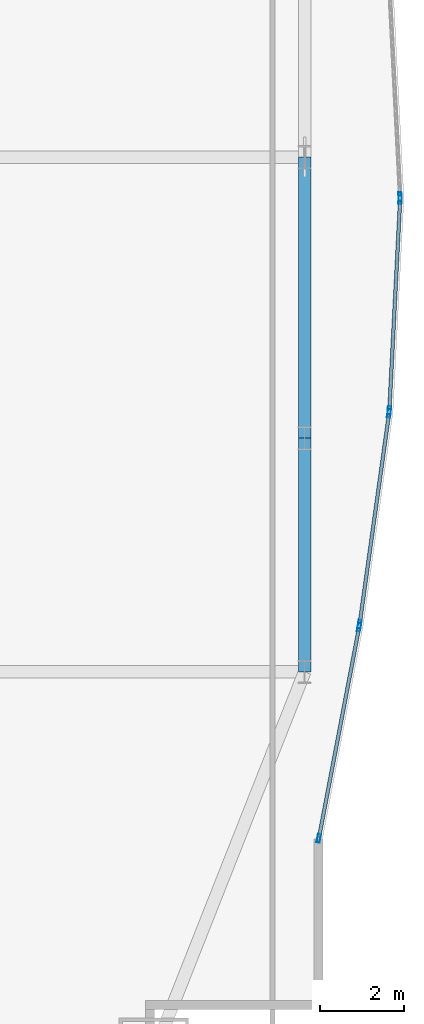
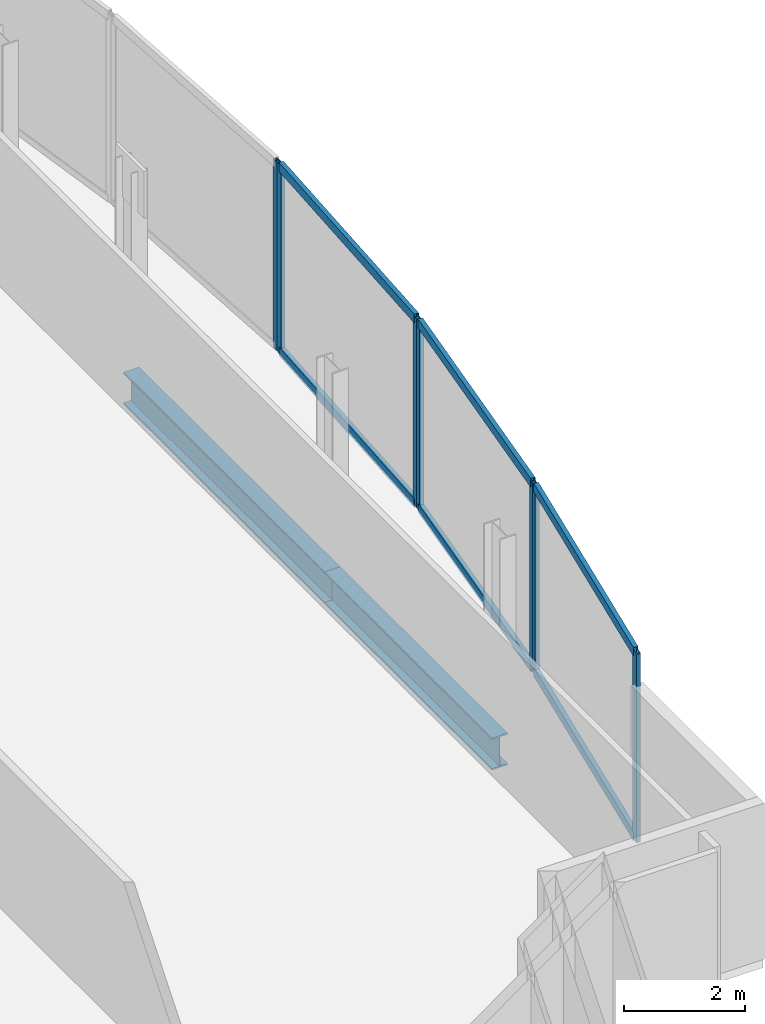
# One storey, part 22 of 37: 13 members, 2 beams, 4 elements without a shape of their own.
"""IFC4 building model written with IfcOpenShell, lengths in metres."""

from ifc_helpers import new_model, si_unit, direction, frame, origin, origin_2d, place, context, subcontext, project, spatial, hollow_rectangle, i_section, extrude, material, material_profile, profile_set, type_object, element, aggregate, save


model = new_model("IFC4")

# Units and contexts
model_context = context("Model", 3, precision=1e-05, world=origin(), true_north=direction((0.0, 1.0)))
body_context = subcontext(model_context, "Body", "Model", "MODEL_VIEW")
ifc_project = project(units=[si_unit("LENGTHUNIT", "METRE"), si_unit("AREAUNIT", "SQUARE_METRE"), si_unit("VOLUMEUNIT", "CUBIC_METRE"), si_unit("PLANEANGLEUNIT", "RADIAN"), si_unit("MASSUNIT", "GRAM", prefix="KILO")], contexts=[model_context])

# Site, building, storey
site_placement = place(None, origin())
site = spatial("IfcSite", under=ifc_project, at=site_placement, CompositionType="ELEMENT")
building_placement = place(site_placement, origin())
building = spatial("IfcBuilding", under=site, at=building_placement, Name="Khoronbel Lancet Exchange", CompositionType="ELEMENT")
storey_placement = place(building_placement, frame((0.0, 0.0, 45.800048828125)))
storey = spatial("IfcBuildingStorey", under=building, at=storey_placement, Name="L10", CompositionType="ELEMENT", Elevation=45.800048828125)

# Beams
ifc_material_1 = material(Name="Steel S355", Category="steel")
ifc_material_profile_1 = material_profile(ifc_material_1, i_section(OverallWidth=0.300048828125, OverallDepth=0.64990234375, WebThickness=0.01611328125, FlangeThickness=0.031005859375, at=origin_2d()), Name="HEB 650")
ifc_profile_set_1 = profile_set([ifc_material_profile_1], Name="Steel S355")
beam_type = type_object("IfcBeamType", Name="BM-BSP1", PredefinedType="SPANDREL", material=ifc_profile_set_1)
beam_1_placement = place(storey_placement, frame((71.6298828125, 19.199951171875, -0.505126953125), z_axis=(0.0, 1.0, 0.0), x_axis=(-1.0, 0.0, 0.0)))
element("IfcBeam", 1, at=beam_1_placement, inside=storey, type_object=beam_type, Name="Level L10 perimeter spandrel beam SP11", PredefinedType="SPANDREL", context=body_context, shape_type="SweptSolid", body=[
    extrude(i_section(OverallWidth=0.300048828125, OverallDepth=0.64990234375, WebThickness=0.01611328125, FlangeThickness=0.031005859375, at=origin_2d()), origin(), (0.0, 0.0, 1.0), 5.550048828125),
])
beam_2_placement = place(storey_placement, frame((71.6298828125, 24.75, -0.505126953125), z_axis=(0.0, 1.0, 0.0), x_axis=(-1.0, 0.0, 0.0)))
element("IfcBeam", 2, at=beam_2_placement, inside=storey, type_object=beam_type, Name="Level L10 perimeter spandrel beam SP12", PredefinedType="SPANDREL", context=body_context, shape_type="SweptSolid", body=[
    extrude(i_section(OverallWidth=0.300048828125, OverallDepth=0.64990234375, WebThickness=0.01611328125, FlangeThickness=0.031005859375, at=origin_2d()), origin(), (0.0, 0.0, 1.0), 6.675048828125),
])

# Curtain wall, member
ifc_material_2 = material(Name="Low-E Solar Control Insulating Glass", Category="glass")
curtain_wall_type = type_object("IfcCurtainWallType", Name="CW-4", PredefinedType="NOTDEFINED", material=ifc_material_2)
curtain_wall_1_placement = place(storey_placement, origin())
curtain_wall_1 = element("IfcCurtainWall", 3, at=curtain_wall_1_placement, inside=storey, type_object=curtain_wall_type, Name="Unitised curtain wall CW-L10-E19", PredefinedType="NOTDEFINED")
ifc_material_3 = material(Name="Bronze-Anodised Aluminium 6063-T6", Category="aluminium")
ifc_material_profile_2 = material_profile(ifc_material_3, hollow_rectangle(XDim=0.074951171875, YDim=0.199951171875, WallThickness=0.0048828125, at=origin_2d()), Name="ALU MULLION 75x200")
ifc_profile_set_2 = profile_set([ifc_material_profile_2], Name="Bronze-Anodised Aluminium 6063-T6")
member_type_1 = type_object("IfcMemberType", Name="MEM-CWM2", PredefinedType="MULLION", material=ifc_profile_set_2)
member_1_placement = place(storey_placement, frame((73.89794921875, 30.487548828125, 0.0), z_axis=(0.0, 0.0, 1.0), x_axis=(0.998695163208, 0.051068297252, 0.0)))
member_1 = element("IfcMember", 4, at=member_1_placement, type_object=member_type_1, Name="CW4 mullion 2", PredefinedType="MULLION", context=body_context, shape_type="SweptSolid", body=[
    extrude(hollow_rectangle(XDim=0.074951171875, YDim=0.199951171875, WallThickness=0.0048828125, at=origin_2d()), origin(), (0.0, 0.0, 1.0), 3.820068359375),
])
aggregate(curtain_wall_1, [member_1])

# Curtain wall, members
curtain_wall_2_placement = place(storey_placement, origin())
curtain_wall_2 = element("IfcCurtainWall", 5, at=curtain_wall_2_placement, inside=storey, type_object=curtain_wall_type, Name="Unitised curtain wall CW-L10-E20", PredefinedType="NOTDEFINED")
member_2_placement = place(storey_placement, frame((73.89794921875, 30.41259765625, 0.0), z_axis=(0.0, 0.0, 1.0), x_axis=(0.998695163208, -0.051068297252, 0.0)))
member_2 = element("IfcMember", 6, at=member_2_placement, type_object=member_type_1, Name="CW4 mullion 1", PredefinedType="MULLION", context=body_context, shape_type="SweptSolid", body=[
    extrude(hollow_rectangle(XDim=0.074951171875, YDim=0.199951171875, WallThickness=0.0048828125, at=origin_2d()), origin(), (0.0, 0.0, 1.0), 3.820068359375),
])
member_3_placement = place(storey_placement, frame((73.642333984375, 25.41259765625, 0.0), z_axis=(0.0, 0.0, 1.0), x_axis=(0.998695163208, -0.051068297252, 0.0)))
member_3 = element("IfcMember", 7, at=member_3_placement, type_object=member_type_1, Name="CW4 mullion 2", PredefinedType="MULLION", context=body_context, shape_type="SweptSolid", body=[
    extrude(hollow_rectangle(XDim=0.074951171875, YDim=0.199951171875, WallThickness=0.0048828125, at=origin_2d()), origin(), (0.0, 0.0, 1.0), 3.820068359375),
])

curtain_wall_3_placement = place(storey_placement, origin())
curtain_wall_3 = element("IfcCurtainWall", 8, at=curtain_wall_3_placement, inside=storey, type_object=curtain_wall_type, Name="Unitised curtain wall CW-L10-E21", PredefinedType="NOTDEFINED")
member_4_placement = place(storey_placement, frame((73.635009765625, 25.338134765625, 0.0), z_axis=(0.0, 0.0, 1.0), x_axis=(0.990384767809, -0.138340202733, 0.0)))
member_4 = element("IfcMember", 9, at=member_4_placement, type_object=member_type_1, Name="CW4 mullion 1", PredefinedType="MULLION", context=body_context, shape_type="SweptSolid", body=[
    extrude(hollow_rectangle(XDim=0.074951171875, YDim=0.199951171875, WallThickness=0.0048828125, at=origin_2d()), origin(), (0.0, 0.0, 1.0), 3.820068359375),
])
member_5_placement = place(storey_placement, frame((72.936279296875, 20.335205078125, 0.0), z_axis=(0.0, 0.0, 1.0), x_axis=(0.990384767809, -0.138340202733, 0.0)))
member_5 = element("IfcMember", 10, at=member_5_placement, type_object=member_type_1, Name="CW4 mullion 2", PredefinedType="MULLION", context=body_context, shape_type="SweptSolid", body=[
    extrude(hollow_rectangle(XDim=0.074951171875, YDim=0.199951171875, WallThickness=0.0048828125, at=origin_2d()), origin(), (0.0, 0.0, 1.0), 3.820068359375),
])

curtain_wall_4_placement = place(storey_placement, origin())
curtain_wall_4 = element("IfcCurtainWall", 11, at=curtain_wall_4_placement, inside=storey, type_object=curtain_wall_type, Name="Unitised curtain wall CW-L10-E22", PredefinedType="NOTDEFINED")
member_6_placement = place(storey_placement, frame((72.924072265625, 20.26123046875, 0.0), z_axis=(0.0, 0.0, 1.0), x_axis=(0.982279223099, -0.187423391996, 0.0)))
member_6 = element("IfcMember", 12, at=member_6_placement, type_object=member_type_1, Name="CW4 mullion 1", PredefinedType="MULLION", context=body_context, shape_type="SweptSolid", body=[
    extrude(hollow_rectangle(XDim=0.074951171875, YDim=0.199951171875, WallThickness=0.0048828125, at=origin_2d()), origin(), (0.0, 0.0, 1.0), 3.820068359375),
])
member_7_placement = place(storey_placement, frame((71.967041015625, 15.245361328125, 0.0), z_axis=(0.0, 0.0, 1.0), x_axis=(0.982279223099, -0.187423391996, 0.0)))
member_7 = element("IfcMember", 13, at=member_7_placement, type_object=member_type_1, Name="CW4 mullion 2", PredefinedType="MULLION", context=body_context, shape_type="SweptSolid", body=[
    extrude(hollow_rectangle(XDim=0.074951171875, YDim=0.199951171875, WallThickness=0.0048828125, at=origin_2d()), origin(), (0.0, 0.0, 1.0), 3.820068359375),
])

# Member
ifc_material_profile_3 = material_profile(ifc_material_3, hollow_rectangle(XDim=0.0849609375, YDim=0.179931640625, WallThickness=0.0048828125, at=origin_2d()), Name="ALU TRANSOM 85x180")
ifc_profile_set_3 = profile_set([ifc_material_profile_3], Name="Bronze-Anodised Aluminium 6063-T6")
member_type_2 = type_object("IfcMemberType", Name="MEM-CWT1", PredefinedType="USERDEFINED", material=ifc_profile_set_3)
member_8_placement = place(storey_placement, frame((73.89599609375, 30.375, 0.04248046875), z_axis=(-0.051093203143, -0.998693889334, 0.0), x_axis=(0.998693889334, -0.051093203143, 0.0)))
member_8 = element("IfcMember", 14, at=member_8_placement, type_object=member_type_2, Name="CW4 transom 1.1", ObjectType="TRANSOM", PredefinedType="USERDEFINED", context=body_context, shape_type="SweptSolid", body=[
    extrude(hollow_rectangle(XDim=0.0849609375, YDim=0.179931640625, WallThickness=0.0048828125, at=origin_2d()), origin(), (0.0, 0.0, 1.0), 4.93115234375),
])

member_9_placement = place(storey_placement, frame((73.89599609375, 30.375, 3.77734375), z_axis=(-0.051093203143, -0.998693889334, 0.0), x_axis=(0.998693889334, -0.051093203143, 0.0)))
member_9 = element("IfcMember", 15, at=member_9_placement, type_object=member_type_2, Name="CW4 transom 1.2", ObjectType="TRANSOM", PredefinedType="USERDEFINED", context=body_context, shape_type="SweptSolid", body=[
    extrude(hollow_rectangle(XDim=0.0849609375, YDim=0.179931640625, WallThickness=0.0048828125, at=origin_2d()), origin(), (0.0, 0.0, 1.0), 4.93115234375),
])

aggregate(curtain_wall_2, [member_2, member_3, member_8, member_9])

member_10_placement = place(storey_placement, frame((73.6298828125, 25.301025390625, 0.04248046875), z_axis=(-0.138343751113, -0.990384272153, 0.0), x_axis=(0.990384272153, -0.138343751113, 0.0)))
member_10 = element("IfcMember", 16, at=member_10_placement, type_object=member_type_2, Name="CW4 transom 1.1", ObjectType="TRANSOM", PredefinedType="USERDEFINED", context=body_context, shape_type="SweptSolid", body=[
    extrude(hollow_rectangle(XDim=0.0849609375, YDim=0.179931640625, WallThickness=0.0048828125, at=origin_2d()), origin(), (0.0, 0.0, 1.0), 4.9765625),
])

member_11_placement = place(storey_placement, frame((73.6298828125, 25.301025390625, 3.77734375), z_axis=(-0.138343751113, -0.990384272153, 0.0), x_axis=(0.990384272153, -0.138343751113, 0.0)))
member_11 = element("IfcMember", 17, at=member_11_placement, type_object=member_type_2, Name="CW4 transom 1.2", ObjectType="TRANSOM", PredefinedType="USERDEFINED", context=body_context, shape_type="SweptSolid", body=[
    extrude(hollow_rectangle(XDim=0.0849609375, YDim=0.179931640625, WallThickness=0.0048828125, at=origin_2d()), origin(), (0.0, 0.0, 1.0), 4.9765625),
])

aggregate(curtain_wall_3, [member_4, member_5, member_10, member_11])

member_12_placement = place(storey_placement, frame((72.9169921875, 20.224365234375, 0.04248046875), z_axis=(-0.187401973125, -0.982283309676, 0.0), x_axis=(0.982283309676, -0.187401973125, 0.0)))
member_12 = element("IfcMember", 18, at=member_12_placement, type_object=member_type_2, Name="CW4 transom 1.1", ObjectType="TRANSOM", PredefinedType="USERDEFINED", context=body_context, shape_type="SweptSolid", body=[
    extrude(hollow_rectangle(XDim=0.0849609375, YDim=0.179931640625, WallThickness=0.0048828125, at=origin_2d()), origin(), (0.0, 0.0, 1.0), 5.03125),
])

member_13_placement = place(storey_placement, frame((72.9169921875, 20.224365234375, 3.77734375), z_axis=(-0.187401973125, -0.982283309676, 0.0), x_axis=(0.982283309676, -0.187401973125, 0.0)))
member_13 = element("IfcMember", 19, at=member_13_placement, type_object=member_type_2, Name="CW4 transom 1.2", ObjectType="TRANSOM", PredefinedType="USERDEFINED", context=body_context, shape_type="SweptSolid", body=[
    extrude(hollow_rectangle(XDim=0.0849609375, YDim=0.179931640625, WallThickness=0.0048828125, at=origin_2d()), origin(), (0.0, 0.0, 1.0), 5.03125),
])

aggregate(curtain_wall_4, [member_6, member_7, member_12, member_13])

save(model, "model.ifc")
